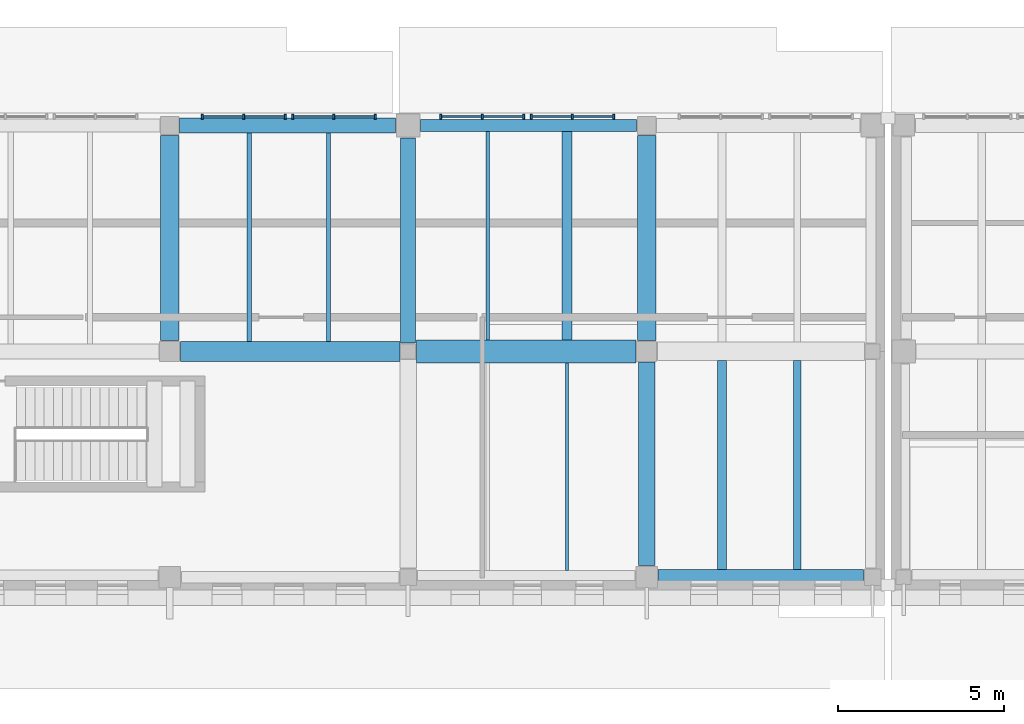
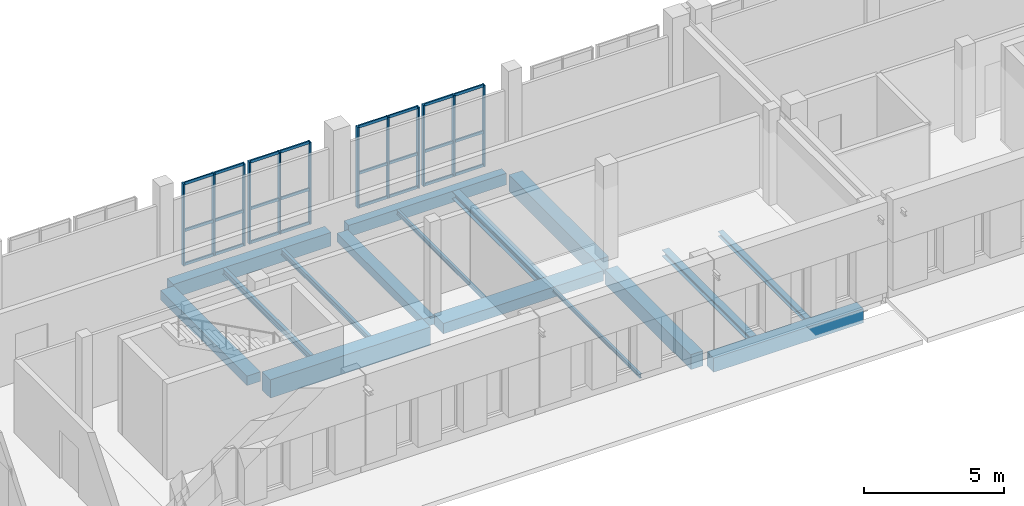
# One storey, part 15 of 77: 36 members, 16 beams, 4 elements without a shape of their own.
"""IFC4 building model written with IfcOpenShell, lengths in metres."""

from ifc_helpers import new_model, si_unit, direction, frame, origin, origin_2d, place, context, subcontext, project, spatial, rectangle, i_section, extrude, material, layer, layer_set, material_profile, profile_set, type_object, element, aggregate, save


model = new_model("IFC4")

# Units and contexts
model_context = context("Model", 3, precision=1e-05, world=origin(), true_north=direction((0.0, 1.0)))
body_context = subcontext(model_context, "Body", "Model", "MODEL_VIEW")
ifc_project = project(units=[si_unit("LENGTHUNIT", "METRE"), si_unit("AREAUNIT", "SQUARE_METRE"), si_unit("VOLUMEUNIT", "CUBIC_METRE"), si_unit("PLANEANGLEUNIT", "RADIAN"), si_unit("MASSUNIT", "GRAM", prefix="KILO")], contexts=[model_context])

# Site, building, storey
site_placement = place(None, origin())
site = spatial("IfcSite", under=ifc_project, at=site_placement, CompositionType="ELEMENT")
building_placement = place(site_placement, origin())
building = spatial("IfcBuilding", under=site, at=building_placement, Name="Vardoun Plaza Health Centre", CompositionType="ELEMENT")
storey_placement = place(building_placement, origin())
storey = spatial("IfcBuildingStorey", under=building, at=storey_placement, Name="L00", CompositionType="ELEMENT", Elevation=0.0)

# Beams
ifc_material_1 = material(Name="Concrete C35/45", Category="concrete")
ifc_material_profile_1 = material_profile(ifc_material_1, rectangle(XDim=0.35009765625, YDim=0.5, at=origin_2d()), Name="RC-BM 350x500")
ifc_profile_set_1 = profile_set([ifc_material_profile_1], Name="Concrete C35/45")
beam_type_1 = type_object("IfcBeamType", Name="B-08", PredefinedType="SPANDREL", material=ifc_profile_set_1)
beam_1_placement = place(storey_placement, frame((91.455078125, 18.52001953125, -0.56494140625), z_axis=(1.0, 0.0, 0.0), x_axis=(0.0, 1.0, 0.0)))
element("IfcBeam", 1, at=beam_1_placement, inside=storey, type_object=beam_type_1, Name="V4 L00 Beam B-V4-L00-X21", PredefinedType="SPANDREL", context=body_context, shape_type="SweptSolid", body=[
    extrude(rectangle(XDim=0.35009765625, YDim=0.5, at=origin_2d()), origin(), (0.0, 0.0, 1.0), 6.52490234375),
])
ifc_material_2 = material(Name="Concrete C35/45", Category="concrete")
ifc_material_profile_2 = material_profile(ifc_material_2, rectangle(XDim=0.449951171875, YDim=0.3798828125, at=origin_2d()), Name="RC-BM 450x380")
ifc_profile_set_2 = profile_set([ifc_material_profile_2], Name="Concrete C35/45")
beam_type_2 = type_object("IfcBeamType", Name="B-01", PredefinedType="BEAM", material=ifc_profile_set_2)
beam_2_placement = place(storey_placement, frame((91.080078125, 11.949951171875, -0.5048828125), z_axis=(0.0, 1.0, 0.0), x_axis=(-1.0, 0.0, 0.0)))
element("IfcBeam", 2, at=beam_2_placement, inside=storey, type_object=beam_type_2, Name="V4 L00 Beam B-V4-L00-Y36", PredefinedType="BEAM", context=body_context, shape_type="SweptSolid", body=[
    extrude(rectangle(XDim=0.449951171875, YDim=0.3798828125, at=origin_2d()), origin(), (0.0, 0.0, 1.0), 6.195068359375),
])
ifc_material_3 = material(Name="Concrete C35/45", Category="concrete")
ifc_material_profile_3 = material_profile(ifc_material_3, rectangle(XDim=0.449951171875, YDim=0.60009765625, at=origin_2d()), Name="RC-BM 450x600")
ifc_profile_set_3 = profile_set([ifc_material_profile_3], Name="Concrete C35/45")
beam_type_3 = type_object("IfcBeamType", Name="B-11", PredefinedType="SPANDREL", material=ifc_profile_set_3)
beam_3_placement = place(storey_placement, frame((84.179931640625, 18.52001953125, -0.614990234375), z_axis=(1.0, 0.0, 0.0), x_axis=(0.0, 1.0, 0.0)))
element("IfcBeam", 3, at=beam_3_placement, inside=storey, type_object=beam_type_3, Name="V4 L00 Beam B-V4-L00-X18", PredefinedType="SPANDREL", context=body_context, shape_type="SweptSolid", body=[
    extrude(rectangle(XDim=0.449951171875, YDim=0.60009765625, at=origin_2d()), origin(), (0.0, 0.0, 1.0), 6.525146484375),
])
ifc_material_4 = material(Name="Concrete C35/45", Category="concrete")
ifc_material_profile_4 = material_profile(ifc_material_4, rectangle(XDim=0.47998046875, YDim=0.6201171875, at=origin_2d()), Name="RC-BM 480x620")
ifc_profile_set_4 = profile_set([ifc_material_profile_4], Name="Concrete C35/45")
beam_type_4 = type_object("IfcBeamType", Name="B-12", PredefinedType="SPANDREL", material=ifc_profile_set_4)
beam_4_placement = place(storey_placement, frame((98.6298828125, 4.8798828125, -0.625), z_axis=(1.0, 0.0, 0.0), x_axis=(0.0, 1.0, 0.0)))
element("IfcBeam", 4, at=beam_4_placement, inside=storey, type_object=beam_type_4, Name="V4 L00 Beam B-V4-L00-X22", PredefinedType="SPANDREL", context=body_context, shape_type="SweptSolid", body=[
    extrude(rectangle(XDim=0.47998046875, YDim=0.6201171875, at=origin_2d()), origin(), (0.0, 0.0, 1.0), 6.195068359375),
])
ifc_material_5 = material(Name="Concrete C40/50", Category="concrete")
ifc_material_profile_5 = material_profile(ifc_material_5, rectangle(XDim=0.5, YDim=0.64990234375, at=origin_2d()), Name="RC-BM 500x650")
ifc_profile_set_5 = profile_set([ifc_material_profile_5], Name="Concrete C40/50")
beam_type_5 = type_object("IfcBeamType", Name="B-13", PredefinedType="BEAM", material=ifc_profile_set_5)
beam_5_placement = place(storey_placement, frame((98.280029296875, 5.22998046875, -0.639892578125), z_axis=(0.0, 1.0, 0.0), x_axis=(-1.0, 0.0, 0.0)))
element("IfcBeam", 5, at=beam_5_placement, inside=storey, type_object=beam_type_5, Name="V4 L00 Beam B-V4-L00-Y37", PredefinedType="BEAM", context=body_context, shape_type="SweptSolid", body=[
    extrude(rectangle(XDim=0.5, YDim=0.64990234375, at=origin_2d()), origin(), (0.0, 0.0, 1.0), 6.14501953125),
])
ifc_material_6 = material(Name="Concrete C35/45", Category="concrete")
ifc_material_profile_6 = material_profile(ifc_material_6, rectangle(XDim=0.550048828125, YDim=0.419921875, at=origin_2d()), Name="RC-BM 550x420")
ifc_profile_set_6 = profile_set([ifc_material_profile_6], Name="Concrete C35/45")
beam_type_6 = type_object("IfcBeamType", Name="B-03", PredefinedType="BEAM", material=ifc_profile_set_6)
beam_6_placement = place(storey_placement, frame((83.8798828125, 12.02490234375, -0.52490234375), z_axis=(0.0, 1.0, 0.0), x_axis=(-1.0, 0.0, 0.0)))
element("IfcBeam", 6, at=beam_6_placement, inside=storey, type_object=beam_type_6, Name="V4 L00 Beam B-V4-L00-Y34", PredefinedType="BEAM", context=body_context, shape_type="SweptSolid", body=[
    extrude(rectangle(XDim=0.550048828125, YDim=0.419921875, at=origin_2d()), origin(), (0.0, 0.0, 1.0), 6.195068359375),
])
ifc_material_7 = material(Name="Concrete C40/50", Category="concrete")
ifc_material_profile_7 = material_profile(ifc_material_7, rectangle(XDim=0.550048828125, YDim=0.719970703125, at=origin_2d()), Name="RC-BM 550x720")
ifc_profile_set_7 = profile_set([ifc_material_profile_7], Name="Concrete C40/50")
beam_type_7 = type_object("IfcBeamType", Name="B-14", PredefinedType="BEAM", material=ifc_profile_set_7)
beam_7_placement = place(storey_placement, frame((98.280029296875, 12.02490234375, -0.675048828125), z_axis=(0.0, 1.0, 0.0), x_axis=(-1.0, 0.0, 0.0)))
element("IfcBeam", 7, at=beam_7_placement, inside=storey, type_object=beam_type_7, Name="V4 L00 Beam B-V4-L00-Y38", PredefinedType="BEAM", context=body_context, shape_type="SweptSolid", body=[
    extrude(rectangle(XDim=0.550048828125, YDim=0.719970703125, at=origin_2d()), origin(), (0.0, 0.0, 1.0), 6.195068359375),
])
ifc_material_8 = material(Name="Concrete C40/50", Category="concrete")
ifc_material_profile_8 = material_profile(ifc_material_8, rectangle(XDim=0.60009765625, YDim=0.800048828125, at=origin_2d()), Name="RC-BM 600x800")
ifc_profile_set_8 = profile_set([ifc_material_profile_8], Name="Concrete C40/50")
beam_type_8 = type_object("IfcBeamType", Name="B-15", PredefinedType="JOIST", material=ifc_profile_set_8)
beam_8_placement = place(storey_placement, frame((84.205078125, 11.699951171875, -0.715087890625), z_axis=(1.0, 0.0, 0.0), x_axis=(0.0, 1.0, 0.0)))
element("IfcBeam", 8, at=beam_8_placement, inside=storey, type_object=beam_type_8, Name="V4 L00 Beam B-V4-L00-X17", PredefinedType="JOIST", context=body_context, shape_type="SweptSolid", body=[
    extrude(rectangle(XDim=0.60009765625, YDim=0.800048828125, at=origin_2d()), origin(), (0.0, 0.0, 1.0), 6.625),
])
ifc_material_9 = material(Name="Concrete C35/45", Category="concrete")
ifc_material_profile_9 = material_profile(ifc_material_9, rectangle(XDim=0.699951171875, YDim=0.449951171875, at=origin_2d()), Name="RC-BM 700x450")
ifc_profile_set_9 = profile_set([ifc_material_profile_9], Name="Concrete C35/45")
beam_type_9 = type_object("IfcBeamType", Name="B-06", PredefinedType="BEAM", material=ifc_profile_set_9)
beam_9_placement = place(storey_placement, frame((91.330078125, 11.699951171875, -0.5400390625), z_axis=(1.0, 0.0, 0.0), x_axis=(0.0, 1.0, 0.0)))
element("IfcBeam", 9, at=beam_9_placement, inside=storey, type_object=beam_type_9, Name="V4 L00 Beam B-V4-L00-X20", PredefinedType="BEAM", context=body_context, shape_type="SweptSolid", body=[
    extrude(rectangle(XDim=0.699951171875, YDim=0.449951171875, at=origin_2d()), origin(), (0.0, 0.0, 1.0), 6.625),
])
ifc_material_10 = material(Name="Steel S355J2", Category="steel")
ifc_material_profile_10 = material_profile(ifc_material_10, i_section(OverallWidth=0.219970703125, OverallDepth=0.2099609375, WebThickness=0.007080078125, FlangeThickness=0.010986328125, FilletRadius=0.01806640625, at=origin_2d()), Name="HEA 220")
ifc_profile_set_10 = profile_set([ifc_material_profile_10], Name="Steel S355J2")
beam_type_10 = type_object("IfcBeamType", Name="SB-08", PredefinedType="BEAM", material=ifc_profile_set_10)
beam_10_placement = place(storey_placement, frame((102.826904296875, 5.1201171875, -0.419921875), z_axis=(0.0, 1.0, 0.0), x_axis=(-1.0, 0.0, 0.0)))
element("IfcBeam", 10, at=beam_10_placement, inside=storey, type_object=beam_type_10, Name="V4 L00 Secondary Floor Beam SJ-V4-L00-23", PredefinedType="BEAM", context=body_context, shape_type="SweptSolid", body=[
    extrude(i_section(OverallWidth=0.219970703125, OverallDepth=0.2099609375, WebThickness=0.007080078125, FlangeThickness=0.010986328125, FilletRadius=0.01806640625, at=origin_2d()), origin(), (0.0, 0.0, 1.0), 6.304931640625),
])
ifc_material_11 = material(Name="Steel S355J2", Category="steel")
ifc_material_profile_11 = material_profile(ifc_material_11, i_section(OverallWidth=0.280029296875, OverallDepth=0.27001953125, WebThickness=0.008056640625, FlangeThickness=0.012939453125, FilletRadius=0.02392578125, at=origin_2d()), Name="HEA 280")
ifc_profile_set_11 = profile_set([ifc_material_profile_11], Name="Steel S355J2")
beam_type_11 = type_object("IfcBeamType", Name="SB-06", PredefinedType="BEAM", material=ifc_profile_set_11)
beam_11_placement = place(storey_placement, frame((100.552978515625, 5.1201171875, -0.449951171875), z_axis=(0.0, 1.0, 0.0), x_axis=(-1.0, 0.0, 0.0)))
element("IfcBeam", 11, at=beam_11_placement, inside=storey, type_object=beam_type_11, Name="V4 L00 Secondary Floor Beam SJ-V4-L00-21", PredefinedType="BEAM", context=body_context, shape_type="SweptSolid", body=[
    extrude(i_section(OverallWidth=0.280029296875, OverallDepth=0.27001953125, WebThickness=0.008056640625, FlangeThickness=0.012939453125, FilletRadius=0.02392578125, at=origin_2d()), origin(), (0.0, 0.0, 1.0), 6.304931640625),
])
ifc_material_12 = material(Name="Steel S355J2", Category="steel")
ifc_material_profile_12 = material_profile(ifc_material_12, i_section(OverallWidth=0.300048828125, OverallDepth=0.330078125, WebThickness=0.009521484375, FlangeThickness=0.0166015625, FilletRadius=0.027099609375, at=origin_2d()), Name="HEA 340")
ifc_profile_set_12 = profile_set([ifc_material_profile_12], Name="Steel S355J2")
beam_type_12 = type_object("IfcBeamType", Name="SB-04", PredefinedType="BEAM", material=ifc_profile_set_12)
beam_12_placement = place(storey_placement, frame((95.880126953125, 12.050048828125, -0.47998046875), z_axis=(0.0, 1.0, 0.0), x_axis=(-1.0, 0.0, 0.0)))
element("IfcBeam", 12, at=beam_12_placement, inside=storey, type_object=beam_type_12, Name="V4 L00 Secondary Floor Beam SJ-V4-L00-20", PredefinedType="BEAM", context=body_context, shape_type="SweptSolid", body=[
    extrude(i_section(OverallWidth=0.300048828125, OverallDepth=0.330078125, WebThickness=0.009521484375, FlangeThickness=0.0166015625, FilletRadius=0.027099609375, at=origin_2d()), origin(), (0.0, 0.0, 1.0), 6.294921875),
])
ifc_material_13 = material(Name="Steel S355J2", Category="steel")
ifc_material_profile_13 = material_profile(ifc_material_13, i_section(OverallWidth=0.091064453125, OverallDepth=0.179931640625, WebThickness=0.00537109375, FlangeThickness=0.008056640625, FilletRadius=0.009033203125, at=origin_2d()), Name="IPE 180")
ifc_profile_set_13 = profile_set([ifc_material_profile_13], Name="Steel S355J2")
beam_type_13 = type_object("IfcBeamType", Name="SB-20", PredefinedType="SPANDREL", material=ifc_profile_set_13)
beam_13_placement = place(storey_placement, frame((95.880126953125, 5.090087890625, -0.405029296875), z_axis=(0.0, 1.0, 0.0), x_axis=(-1.0, 0.0, 0.0)))
element("IfcBeam", 13, at=beam_13_placement, inside=storey, type_object=beam_type_13, Name="V4 L00 Secondary Floor Beam SJ-V4-L00-19", PredefinedType="SPANDREL", context=body_context, shape_type="SweptSolid", body=[
    extrude(i_section(OverallWidth=0.091064453125, OverallDepth=0.179931640625, WebThickness=0.00537109375, FlangeThickness=0.008056640625, FilletRadius=0.009033203125, at=origin_2d()), origin(), (0.0, 0.0, 1.0), 6.260009765625),
])
ifc_material_14 = material(Name="Steel S355J2", Category="steel")
ifc_material_profile_14 = material_profile(ifc_material_14, i_section(OverallWidth=0.10009765625, OverallDepth=0.199951171875, WebThickness=0.005615234375, FlangeThickness=0.008544921875, FilletRadius=0.011962890625, at=origin_2d()), Name="IPE 200")
ifc_profile_set_14 = profile_set([ifc_material_profile_14], Name="Steel S355J2")
beam_type_14 = type_object("IfcBeamType", Name="SB-19", PredefinedType="SPANDREL", material=ifc_profile_set_14)
beam_14_placement = place(storey_placement, frame((93.479736328125, 12.050048828125, -0.4150390625), z_axis=(0.0, 1.0, 0.0), x_axis=(-1.0, 0.0, 0.0)))
element("IfcBeam", 14, at=beam_14_placement, inside=storey, type_object=beam_type_14, Name="V4 L00 Secondary Floor Beam SJ-V4-L00-18", PredefinedType="SPANDREL", context=body_context, shape_type="SweptSolid", body=[
    extrude(i_section(OverallWidth=0.10009765625, OverallDepth=0.199951171875, WebThickness=0.005615234375, FlangeThickness=0.008544921875, FilletRadius=0.011962890625, at=origin_2d()), origin(), (0.0, 0.0, 1.0), 6.294921875),
])
ifc_material_15 = material(Name="Steel S355J2", Category="steel")
ifc_material_profile_15 = material_profile(ifc_material_15, i_section(OverallWidth=0.1201171875, OverallDepth=0.239990234375, WebThickness=0.006103515625, FlangeThickness=0.009765625, FilletRadius=0.014892578125, at=origin_2d()), Name="IPE 240")
ifc_profile_set_15 = profile_set([ifc_material_profile_15], Name="Steel S355J2")
beam_type_15 = type_object("IfcBeamType", Name="SB-17", PredefinedType="JOIST", material=ifc_profile_set_15)
beam_15_placement = place(storey_placement, frame((88.68017578125, 12.0, -0.43505859375), z_axis=(0.0, 1.0, 0.0), x_axis=(-1.0, 0.0, 0.0)))
element("IfcBeam", 15, at=beam_15_placement, inside=storey, type_object=beam_type_15, Name="V4 L00 Secondary Floor Beam SJ-V4-L00-16", PredefinedType="JOIST", context=body_context, shape_type="SweptSolid", body=[
    extrude(i_section(OverallWidth=0.1201171875, OverallDepth=0.239990234375, WebThickness=0.006103515625, FlangeThickness=0.009765625, FilletRadius=0.014892578125, at=origin_2d()), origin(), (0.0, 0.0, 1.0), 6.294921875),
])
ifc_material_16 = material(Name="Steel S355J2", Category="steel")
ifc_material_profile_16 = material_profile(ifc_material_16, i_section(OverallWidth=0.135009765625, OverallDepth=0.27001953125, WebThickness=0.006591796875, FlangeThickness=0.01025390625, FilletRadius=0.014892578125, at=origin_2d()), Name="IPE 270")
ifc_profile_set_16 = profile_set([ifc_material_profile_16], Name="Steel S355J2")
beam_type_16 = type_object("IfcBeamType", Name="SB-16", PredefinedType="JOIST", material=ifc_profile_set_16)
beam_16_placement = place(storey_placement, frame((86.27978515625, 12.0, -0.449951171875), z_axis=(0.0, 1.0, 0.0), x_axis=(-1.0, 0.0, 0.0)))
element("IfcBeam", 16, at=beam_16_placement, inside=storey, type_object=beam_type_16, Name="V4 L00 Secondary Floor Beam SJ-V4-L00-15", PredefinedType="JOIST", context=body_context, shape_type="SweptSolid", body=[
    extrude(i_section(OverallWidth=0.135009765625, OverallDepth=0.27001953125, WebThickness=0.006591796875, FlangeThickness=0.01025390625, FilletRadius=0.014892578125, at=origin_2d()), origin(), (0.0, 0.0, 1.0), 6.294921875),
])

# Curtain wall, members
ifc_material_17 = material(Name="Aluminium Alloy EN AW-6063-T6 and Low-E Glass", Category="aluminium")
ifc_layer = layer(ifc_material_17, 0.14990234375)
ifc_layer_set = layer_set([ifc_layer], Name="Aluminium Alloy EN AW-6063-T6 and Low-E Glass")
curtain_wall_type = type_object("IfcCurtainWallType", Name="CW-03", PredefinedType="NOTDEFINED", material=ifc_layer_set)
curtain_wall_1_placement = place(storey_placement, origin())
curtain_wall_1 = element("IfcCurtainWall", 17, at=curtain_wall_1_placement, inside=storey, type_object=curtain_wall_type, Name="Curtain Wall CW-V4-111", PredefinedType="NOTDEFINED")
ifc_material_18 = material(Name="Aluminium Alloy EN AW-6063-T6", Category="aluminium")
ifc_material_profile_17 = material_profile(ifc_material_18, rectangle(XDim=0.159912109375, YDim=0.06005859375, at=origin_2d()), Name="CWM 60x160")
ifc_profile_set_17 = profile_set([ifc_material_profile_17], Name="Aluminium Alloy EN AW-6063-T6")
member_type_1 = type_object("IfcMemberType", Name="CW-M1", PredefinedType="MULLION", material=ifc_profile_set_17)
member_1_placement = place(storey_placement, frame((84.8701171875, 18.780029296875, 0.0), z_axis=(0.0, 0.0, 1.0), x_axis=(0.0, 1.0, 0.0)))
member_1 = element("IfcMember", 18, at=member_1_placement, type_object=member_type_1, Name="CW-V4-111 mullion 1", PredefinedType="MULLION", context=body_context, shape_type="SweptSolid", body=[
    extrude(rectangle(XDim=0.159912109375, YDim=0.06005859375, at=origin_2d()), origin(), (0.0, 0.0, 1.0), 3.590087890625),
])
member_2_placement = place(storey_placement, frame((86.1201171875, 18.780029296875, 0.0), z_axis=(0.0, 0.0, 1.0), x_axis=(0.0, 1.0, 0.0)))
member_2 = element("IfcMember", 19, at=member_2_placement, type_object=member_type_1, Name="CW-V4-111 mullion 2", PredefinedType="MULLION", context=body_context, shape_type="SweptSolid", body=[
    extrude(rectangle(XDim=0.159912109375, YDim=0.06005859375, at=origin_2d()), origin(), (0.0, 0.0, 1.0), 3.590087890625),
])
member_3_placement = place(storey_placement, frame((87.3701171875, 18.780029296875, 0.0), z_axis=(0.0, 0.0, 1.0), x_axis=(0.0, 1.0, 0.0)))
member_3 = element("IfcMember", 20, at=member_3_placement, type_object=member_type_1, Name="CW-V4-111 mullion 3", PredefinedType="MULLION", context=body_context, shape_type="SweptSolid", body=[
    extrude(rectangle(XDim=0.159912109375, YDim=0.06005859375, at=origin_2d()), origin(), (0.0, 0.0, 1.0), 3.590087890625),
])

curtain_wall_2_placement = place(storey_placement, origin())
curtain_wall_2 = element("IfcCurtainWall", 21, at=curtain_wall_2_placement, inside=storey, type_object=curtain_wall_type, Name="Curtain Wall CW-V4-112", PredefinedType="NOTDEFINED")
member_4_placement = place(storey_placement, frame((87.590087890625, 18.780029296875, 0.0), z_axis=(0.0, 0.0, 1.0), x_axis=(0.0, 1.0, 0.0)))
member_4 = element("IfcMember", 22, at=member_4_placement, type_object=member_type_1, Name="CW-V4-112 mullion 1", PredefinedType="MULLION", context=body_context, shape_type="SweptSolid", body=[
    extrude(rectangle(XDim=0.159912109375, YDim=0.06005859375, at=origin_2d()), origin(), (0.0, 0.0, 1.0), 3.590087890625),
])
member_5_placement = place(storey_placement, frame((88.840087890625, 18.780029296875, 0.0), z_axis=(0.0, 0.0, 1.0), x_axis=(0.0, 1.0, 0.0)))
member_5 = element("IfcMember", 23, at=member_5_placement, type_object=member_type_1, Name="CW-V4-112 mullion 2", PredefinedType="MULLION", context=body_context, shape_type="SweptSolid", body=[
    extrude(rectangle(XDim=0.159912109375, YDim=0.06005859375, at=origin_2d()), origin(), (0.0, 0.0, 1.0), 3.590087890625),
])
member_6_placement = place(storey_placement, frame((90.090087890625, 18.780029296875, 0.0), z_axis=(0.0, 0.0, 1.0), x_axis=(0.0, 1.0, 0.0)))
member_6 = element("IfcMember", 24, at=member_6_placement, type_object=member_type_1, Name="CW-V4-112 mullion 3", PredefinedType="MULLION", context=body_context, shape_type="SweptSolid", body=[
    extrude(rectangle(XDim=0.159912109375, YDim=0.06005859375, at=origin_2d()), origin(), (0.0, 0.0, 1.0), 3.590087890625),
])

curtain_wall_3_placement = place(storey_placement, origin())
curtain_wall_3 = element("IfcCurtainWall", 25, at=curtain_wall_3_placement, inside=storey, type_object=curtain_wall_type, Name="Curtain Wall CW-V4-113", PredefinedType="NOTDEFINED")
member_7_placement = place(storey_placement, frame((92.070068359375, 18.780029296875, 0.0), z_axis=(0.0, 0.0, 1.0), x_axis=(0.0, 1.0, 0.0)))
member_7 = element("IfcMember", 26, at=member_7_placement, type_object=member_type_1, Name="CW-V4-113 mullion 1", PredefinedType="MULLION", context=body_context, shape_type="SweptSolid", body=[
    extrude(rectangle(XDim=0.159912109375, YDim=0.06005859375, at=origin_2d()), origin(), (0.0, 0.0, 1.0), 3.550048828125),
])
member_8_placement = place(storey_placement, frame((93.320068359375, 18.780029296875, 0.0), z_axis=(0.0, 0.0, 1.0), x_axis=(0.0, 1.0, 0.0)))
member_8 = element("IfcMember", 27, at=member_8_placement, type_object=member_type_1, Name="CW-V4-113 mullion 2", PredefinedType="MULLION", context=body_context, shape_type="SweptSolid", body=[
    extrude(rectangle(XDim=0.159912109375, YDim=0.06005859375, at=origin_2d()), origin(), (0.0, 0.0, 1.0), 3.550048828125),
])
member_9_placement = place(storey_placement, frame((94.570068359375, 18.780029296875, 0.0), z_axis=(0.0, 0.0, 1.0), x_axis=(0.0, 1.0, 0.0)))
member_9 = element("IfcMember", 28, at=member_9_placement, type_object=member_type_1, Name="CW-V4-113 mullion 3", PredefinedType="MULLION", context=body_context, shape_type="SweptSolid", body=[
    extrude(rectangle(XDim=0.159912109375, YDim=0.06005859375, at=origin_2d()), origin(), (0.0, 0.0, 1.0), 3.550048828125),
])

curtain_wall_4_placement = place(storey_placement, origin())
curtain_wall_4 = element("IfcCurtainWall", 29, at=curtain_wall_4_placement, inside=storey, type_object=curtain_wall_type, Name="Curtain Wall CW-V4-114", PredefinedType="NOTDEFINED")
member_10_placement = place(storey_placement, frame((94.7900390625, 18.780029296875, 0.0), z_axis=(0.0, 0.0, 1.0), x_axis=(0.0, 1.0, 0.0)))
member_10 = element("IfcMember", 30, at=member_10_placement, type_object=member_type_1, Name="CW-V4-114 mullion 1", PredefinedType="MULLION", context=body_context, shape_type="SweptSolid", body=[
    extrude(rectangle(XDim=0.159912109375, YDim=0.06005859375, at=origin_2d()), origin(), (0.0, 0.0, 1.0), 3.550048828125),
])
member_11_placement = place(storey_placement, frame((96.0400390625, 18.780029296875, 0.0), z_axis=(0.0, 0.0, 1.0), x_axis=(0.0, 1.0, 0.0)))
member_11 = element("IfcMember", 31, at=member_11_placement, type_object=member_type_1, Name="CW-V4-114 mullion 2", PredefinedType="MULLION", context=body_context, shape_type="SweptSolid", body=[
    extrude(rectangle(XDim=0.159912109375, YDim=0.06005859375, at=origin_2d()), origin(), (0.0, 0.0, 1.0), 3.550048828125),
])
member_12_placement = place(storey_placement, frame((97.2900390625, 18.780029296875, 0.0), z_axis=(0.0, 0.0, 1.0), x_axis=(0.0, 1.0, 0.0)))
member_12 = element("IfcMember", 32, at=member_12_placement, type_object=member_type_1, Name="CW-V4-114 mullion 3", PredefinedType="MULLION", context=body_context, shape_type="SweptSolid", body=[
    extrude(rectangle(XDim=0.159912109375, YDim=0.06005859375, at=origin_2d()), origin(), (0.0, 0.0, 1.0), 3.550048828125),
])

# Member
ifc_material_19 = material(Name="Aluminium Alloy EN AW-6063-T6", Category="aluminium")
ifc_material_profile_18 = material_profile(ifc_material_19, rectangle(XDim=0.06005859375, YDim=0.1201171875, at=origin_2d()), Name="CWT 60x120")
ifc_profile_set_18 = profile_set([ifc_material_profile_18], Name="Aluminium Alloy EN AW-6063-T6")
member_type_2 = type_object("IfcMemberType", Name="CW-T1", PredefinedType="USERDEFINED", material=ifc_profile_set_18)
member_13_placement = place(storey_placement, frame((84.900146484375, 18.780029296875, 0.030029296875), z_axis=(1.0, 0.0, 0.0), x_axis=(0.0, 1.0, 0.0)))
member_13 = element("IfcMember", 33, at=member_13_placement, type_object=member_type_2, Name="CW-V4-111 transom 1.1", ObjectType="TRANSOM", PredefinedType="USERDEFINED", context=body_context, shape_type="SweptSolid", body=[
    extrude(rectangle(XDim=0.06005859375, YDim=0.1201171875, at=origin_2d()), origin(), (0.0, 0.0, 1.0), 1.18994140625),
])

member_14_placement = place(storey_placement, frame((84.900146484375, 18.780029296875, 1.5078125), z_axis=(1.0, 0.0, 0.0), x_axis=(0.0, 1.0, 0.0)))
member_14 = element("IfcMember", 34, at=member_14_placement, type_object=member_type_2, Name="CW-V4-111 transom 1.2", ObjectType="TRANSOM", PredefinedType="USERDEFINED", context=body_context, shape_type="SweptSolid", body=[
    extrude(rectangle(XDim=0.06005859375, YDim=0.1201171875, at=origin_2d()), origin(), (0.0, 0.0, 1.0), 1.18994140625),
])

member_15_placement = place(storey_placement, frame((84.900146484375, 18.780029296875, 3.56005859375), z_axis=(1.0, 0.0, 0.0), x_axis=(0.0, 1.0, 0.0)))
member_15 = element("IfcMember", 35, at=member_15_placement, type_object=member_type_2, Name="CW-V4-111 transom 1.3", ObjectType="TRANSOM", PredefinedType="USERDEFINED", context=body_context, shape_type="SweptSolid", body=[
    extrude(rectangle(XDim=0.06005859375, YDim=0.1201171875, at=origin_2d()), origin(), (0.0, 0.0, 1.0), 1.18994140625),
])

member_16_placement = place(storey_placement, frame((86.150146484375, 18.780029296875, 0.030029296875), z_axis=(1.0, 0.0, 0.0), x_axis=(0.0, 1.0, 0.0)))
member_16 = element("IfcMember", 36, at=member_16_placement, type_object=member_type_2, Name="CW-V4-111 transom 2.1", ObjectType="TRANSOM", PredefinedType="USERDEFINED", context=body_context, shape_type="SweptSolid", body=[
    extrude(rectangle(XDim=0.06005859375, YDim=0.1201171875, at=origin_2d()), origin(), (0.0, 0.0, 1.0), 1.18994140625),
])

member_17_placement = place(storey_placement, frame((86.150146484375, 18.780029296875, 1.5078125), z_axis=(1.0, 0.0, 0.0), x_axis=(0.0, 1.0, 0.0)))
member_17 = element("IfcMember", 37, at=member_17_placement, type_object=member_type_2, Name="CW-V4-111 transom 2.2", ObjectType="TRANSOM", PredefinedType="USERDEFINED", context=body_context, shape_type="SweptSolid", body=[
    extrude(rectangle(XDim=0.06005859375, YDim=0.1201171875, at=origin_2d()), origin(), (0.0, 0.0, 1.0), 1.18994140625),
])

member_18_placement = place(storey_placement, frame((86.150146484375, 18.780029296875, 3.56005859375), z_axis=(1.0, 0.0, 0.0), x_axis=(0.0, 1.0, 0.0)))
member_18 = element("IfcMember", 38, at=member_18_placement, type_object=member_type_2, Name="CW-V4-111 transom 2.3", ObjectType="TRANSOM", PredefinedType="USERDEFINED", context=body_context, shape_type="SweptSolid", body=[
    extrude(rectangle(XDim=0.06005859375, YDim=0.1201171875, at=origin_2d()), origin(), (0.0, 0.0, 1.0), 1.18994140625),
])

aggregate(curtain_wall_1, [member_1, member_2, member_3, member_13, member_14, member_15, member_16, member_17, member_18])

member_19_placement = place(storey_placement, frame((87.6201171875, 18.780029296875, 0.030029296875), z_axis=(1.0, 0.0, 0.0), x_axis=(0.0, 1.0, 0.0)))
member_19 = element("IfcMember", 39, at=member_19_placement, type_object=member_type_2, Name="CW-V4-112 transom 1.1", ObjectType="TRANSOM", PredefinedType="USERDEFINED", context=body_context, shape_type="SweptSolid", body=[
    extrude(rectangle(XDim=0.06005859375, YDim=0.1201171875, at=origin_2d()), origin(), (0.0, 0.0, 1.0), 1.18994140625),
])

member_20_placement = place(storey_placement, frame((87.6201171875, 18.780029296875, 1.5078125), z_axis=(1.0, 0.0, 0.0), x_axis=(0.0, 1.0, 0.0)))
member_20 = element("IfcMember", 40, at=member_20_placement, type_object=member_type_2, Name="CW-V4-112 transom 1.2", ObjectType="TRANSOM", PredefinedType="USERDEFINED", context=body_context, shape_type="SweptSolid", body=[
    extrude(rectangle(XDim=0.06005859375, YDim=0.1201171875, at=origin_2d()), origin(), (0.0, 0.0, 1.0), 1.18994140625),
])

member_21_placement = place(storey_placement, frame((87.6201171875, 18.780029296875, 3.56005859375), z_axis=(1.0, 0.0, 0.0), x_axis=(0.0, 1.0, 0.0)))
member_21 = element("IfcMember", 41, at=member_21_placement, type_object=member_type_2, Name="CW-V4-112 transom 1.3", ObjectType="TRANSOM", PredefinedType="USERDEFINED", context=body_context, shape_type="SweptSolid", body=[
    extrude(rectangle(XDim=0.06005859375, YDim=0.1201171875, at=origin_2d()), origin(), (0.0, 0.0, 1.0), 1.18994140625),
])

member_22_placement = place(storey_placement, frame((88.8701171875, 18.780029296875, 0.030029296875), z_axis=(1.0, 0.0, 0.0), x_axis=(0.0, 1.0, 0.0)))
member_22 = element("IfcMember", 42, at=member_22_placement, type_object=member_type_2, Name="CW-V4-112 transom 2.1", ObjectType="TRANSOM", PredefinedType="USERDEFINED", context=body_context, shape_type="SweptSolid", body=[
    extrude(rectangle(XDim=0.06005859375, YDim=0.1201171875, at=origin_2d()), origin(), (0.0, 0.0, 1.0), 1.18994140625),
])

member_23_placement = place(storey_placement, frame((88.8701171875, 18.780029296875, 1.5078125), z_axis=(1.0, 0.0, 0.0), x_axis=(0.0, 1.0, 0.0)))
member_23 = element("IfcMember", 43, at=member_23_placement, type_object=member_type_2, Name="CW-V4-112 transom 2.2", ObjectType="TRANSOM", PredefinedType="USERDEFINED", context=body_context, shape_type="SweptSolid", body=[
    extrude(rectangle(XDim=0.06005859375, YDim=0.1201171875, at=origin_2d()), origin(), (0.0, 0.0, 1.0), 1.18994140625),
])

member_24_placement = place(storey_placement, frame((88.8701171875, 18.780029296875, 3.56005859375), z_axis=(1.0, 0.0, 0.0), x_axis=(0.0, 1.0, 0.0)))
member_24 = element("IfcMember", 44, at=member_24_placement, type_object=member_type_2, Name="CW-V4-112 transom 2.3", ObjectType="TRANSOM", PredefinedType="USERDEFINED", context=body_context, shape_type="SweptSolid", body=[
    extrude(rectangle(XDim=0.06005859375, YDim=0.1201171875, at=origin_2d()), origin(), (0.0, 0.0, 1.0), 1.18994140625),
])

aggregate(curtain_wall_2, [member_4, member_5, member_6, member_19, member_20, member_21, member_22, member_23, member_24])

member_25_placement = place(storey_placement, frame((92.10009765625, 18.780029296875, 0.030029296875), z_axis=(1.0, 0.0, 0.0), x_axis=(0.0, 1.0, 0.0)))
member_25 = element("IfcMember", 45, at=member_25_placement, type_object=member_type_2, Name="CW-V4-113 transom 1.1", ObjectType="TRANSOM", PredefinedType="USERDEFINED", context=body_context, shape_type="SweptSolid", body=[
    extrude(rectangle(XDim=0.06005859375, YDim=0.1201171875, at=origin_2d()), origin(), (0.0, 0.0, 1.0), 1.18994140625),
])

member_26_placement = place(storey_placement, frame((92.10009765625, 18.780029296875, 1.490966796875), z_axis=(1.0, 0.0, 0.0), x_axis=(0.0, 1.0, 0.0)))
member_26 = element("IfcMember", 46, at=member_26_placement, type_object=member_type_2, Name="CW-V4-113 transom 1.2", ObjectType="TRANSOM", PredefinedType="USERDEFINED", context=body_context, shape_type="SweptSolid", body=[
    extrude(rectangle(XDim=0.06005859375, YDim=0.1201171875, at=origin_2d()), origin(), (0.0, 0.0, 1.0), 1.18994140625),
])

member_27_placement = place(storey_placement, frame((92.10009765625, 18.780029296875, 3.52001953125), z_axis=(1.0, 0.0, 0.0), x_axis=(0.0, 1.0, 0.0)))
member_27 = element("IfcMember", 47, at=member_27_placement, type_object=member_type_2, Name="CW-V4-113 transom 1.3", ObjectType="TRANSOM", PredefinedType="USERDEFINED", context=body_context, shape_type="SweptSolid", body=[
    extrude(rectangle(XDim=0.06005859375, YDim=0.1201171875, at=origin_2d()), origin(), (0.0, 0.0, 1.0), 1.18994140625),
])

member_28_placement = place(storey_placement, frame((93.35009765625, 18.780029296875, 0.030029296875), z_axis=(1.0, 0.0, 0.0), x_axis=(0.0, 1.0, 0.0)))
member_28 = element("IfcMember", 48, at=member_28_placement, type_object=member_type_2, Name="CW-V4-113 transom 2.1", ObjectType="TRANSOM", PredefinedType="USERDEFINED", context=body_context, shape_type="SweptSolid", body=[
    extrude(rectangle(XDim=0.06005859375, YDim=0.1201171875, at=origin_2d()), origin(), (0.0, 0.0, 1.0), 1.18994140625),
])

member_29_placement = place(storey_placement, frame((93.35009765625, 18.780029296875, 1.490966796875), z_axis=(1.0, 0.0, 0.0), x_axis=(0.0, 1.0, 0.0)))
member_29 = element("IfcMember", 49, at=member_29_placement, type_object=member_type_2, Name="CW-V4-113 transom 2.2", ObjectType="TRANSOM", PredefinedType="USERDEFINED", context=body_context, shape_type="SweptSolid", body=[
    extrude(rectangle(XDim=0.06005859375, YDim=0.1201171875, at=origin_2d()), origin(), (0.0, 0.0, 1.0), 1.18994140625),
])

member_30_placement = place(storey_placement, frame((93.35009765625, 18.780029296875, 3.52001953125), z_axis=(1.0, 0.0, 0.0), x_axis=(0.0, 1.0, 0.0)))
member_30 = element("IfcMember", 50, at=member_30_placement, type_object=member_type_2, Name="CW-V4-113 transom 2.3", ObjectType="TRANSOM", PredefinedType="USERDEFINED", context=body_context, shape_type="SweptSolid", body=[
    extrude(rectangle(XDim=0.06005859375, YDim=0.1201171875, at=origin_2d()), origin(), (0.0, 0.0, 1.0), 1.18994140625),
])

aggregate(curtain_wall_3, [member_7, member_8, member_9, member_25, member_26, member_27, member_28, member_29, member_30])

member_31_placement = place(storey_placement, frame((94.820068359375, 18.780029296875, 0.030029296875), z_axis=(1.0, 0.0, 0.0), x_axis=(0.0, 1.0, 0.0)))
member_31 = element("IfcMember", 51, at=member_31_placement, type_object=member_type_2, Name="CW-V4-114 transom 1.1", ObjectType="TRANSOM", PredefinedType="USERDEFINED", context=body_context, shape_type="SweptSolid", body=[
    extrude(rectangle(XDim=0.06005859375, YDim=0.1201171875, at=origin_2d()), origin(), (0.0, 0.0, 1.0), 1.18994140625),
])

member_32_placement = place(storey_placement, frame((94.820068359375, 18.780029296875, 1.490966796875), z_axis=(1.0, 0.0, 0.0), x_axis=(0.0, 1.0, 0.0)))
member_32 = element("IfcMember", 52, at=member_32_placement, type_object=member_type_2, Name="CW-V4-114 transom 1.2", ObjectType="TRANSOM", PredefinedType="USERDEFINED", context=body_context, shape_type="SweptSolid", body=[
    extrude(rectangle(XDim=0.06005859375, YDim=0.1201171875, at=origin_2d()), origin(), (0.0, 0.0, 1.0), 1.18994140625),
])

member_33_placement = place(storey_placement, frame((94.820068359375, 18.780029296875, 3.52001953125), z_axis=(1.0, 0.0, 0.0), x_axis=(0.0, 1.0, 0.0)))
member_33 = element("IfcMember", 53, at=member_33_placement, type_object=member_type_2, Name="CW-V4-114 transom 1.3", ObjectType="TRANSOM", PredefinedType="USERDEFINED", context=body_context, shape_type="SweptSolid", body=[
    extrude(rectangle(XDim=0.06005859375, YDim=0.1201171875, at=origin_2d()), origin(), (0.0, 0.0, 1.0), 1.18994140625),
])

member_34_placement = place(storey_placement, frame((96.070068359375, 18.780029296875, 0.030029296875), z_axis=(1.0, 0.0, 0.0), x_axis=(0.0, 1.0, 0.0)))
member_34 = element("IfcMember", 54, at=member_34_placement, type_object=member_type_2, Name="CW-V4-114 transom 2.1", ObjectType="TRANSOM", PredefinedType="USERDEFINED", context=body_context, shape_type="SweptSolid", body=[
    extrude(rectangle(XDim=0.06005859375, YDim=0.1201171875, at=origin_2d()), origin(), (0.0, 0.0, 1.0), 1.18994140625),
])

member_35_placement = place(storey_placement, frame((96.070068359375, 18.780029296875, 1.490966796875), z_axis=(1.0, 0.0, 0.0), x_axis=(0.0, 1.0, 0.0)))
member_35 = element("IfcMember", 55, at=member_35_placement, type_object=member_type_2, Name="CW-V4-114 transom 2.2", ObjectType="TRANSOM", PredefinedType="USERDEFINED", context=body_context, shape_type="SweptSolid", body=[
    extrude(rectangle(XDim=0.06005859375, YDim=0.1201171875, at=origin_2d()), origin(), (0.0, 0.0, 1.0), 1.18994140625),
])

member_36_placement = place(storey_placement, frame((96.070068359375, 18.780029296875, 3.52001953125), z_axis=(1.0, 0.0, 0.0), x_axis=(0.0, 1.0, 0.0)))
member_36 = element("IfcMember", 56, at=member_36_placement, type_object=member_type_2, Name="CW-V4-114 transom 2.3", ObjectType="TRANSOM", PredefinedType="USERDEFINED", context=body_context, shape_type="SweptSolid", body=[
    extrude(rectangle(XDim=0.06005859375, YDim=0.1201171875, at=origin_2d()), origin(), (0.0, 0.0, 1.0), 1.18994140625),
])

aggregate(curtain_wall_4, [member_10, member_11, member_12, member_31, member_32, member_33, member_34, member_35, member_36])

save(model, "model.ifc")
